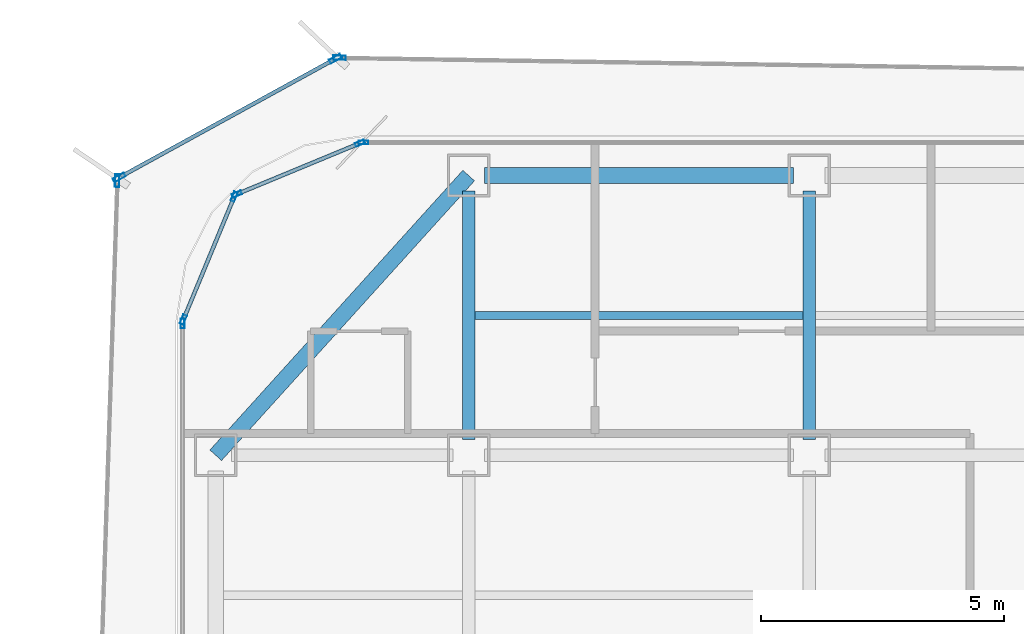
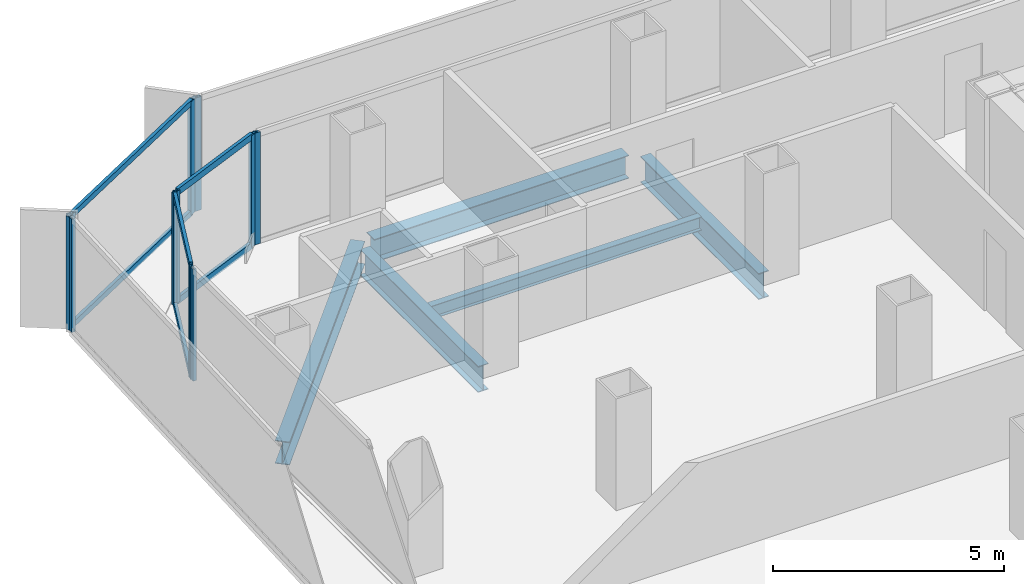
# One storey, part 10 of 21: 16 members, 5 beams, 7 elements without a shape of their own.
"""IFC4 building model written with IfcOpenShell, lengths in metres."""

from ifc_helpers import new_model, si_unit, direction, frame, origin, origin_2d, place, context, subcontext, project, spatial, hollow_rectangle, i_section, extrude, source, transform, mapped, material, layer, layer_set, material_profile, profile_set, type_object, element, aggregate, save


model = new_model("IFC4")

# Units and contexts
model_context = context("Model", 3, precision=1e-05, world=origin(), true_north=direction((0.0, 1.0)))
body_context = subcontext(model_context, "Body", "Model", "MODEL_VIEW")
ifc_project = project(units=[si_unit("LENGTHUNIT", "METRE"), si_unit("AREAUNIT", "SQUARE_METRE"), si_unit("VOLUMEUNIT", "CUBIC_METRE"), si_unit("PLANEANGLEUNIT", "RADIAN"), si_unit("MASSUNIT", "GRAM", prefix="KILO")], contexts=[model_context])

# Site, building, storey
site_placement = place(None, origin())
site = spatial("IfcSite", under=ifc_project, at=site_placement, CompositionType="ELEMENT")
building_placement = place(site_placement, origin())
building = spatial("IfcBuilding", under=site, at=building_placement, Name="Kolveth Station Tower", CompositionType="ELEMENT")
storey_placement = place(building_placement, frame((0.0, 0.0, 111.89990234375)))
storey = spatial("IfcBuildingStorey", under=building, at=storey_placement, Name="L30", CompositionType="ELEMENT", Elevation=111.89990234375)

# Beams
ifc_material_1 = material(Name="Steel S355", Category="steel")
ifc_material_profile_1 = material_profile(ifc_material_1, i_section(OverallWidth=0.323974609375, OverallDepth=0.611083984375, WebThickness=0.0126953125, FlangeThickness=0.01904296875, at=origin_2d()), Name="W610x155")
ifc_profile_set_1 = profile_set([ifc_material_profile_1], Name="Steel S355")
beam_type_1 = type_object("IfcBeamType", Name="Beam_SP2", PredefinedType="SPANDREL", material=ifc_profile_set_1)
shared_shape_1 = source(origin(), body_context, "Body", "SweptSolid", [
    extrude(i_section(OverallWidth=0.323974609375, OverallDepth=0.611083984375, WebThickness=0.0126953125, FlangeThickness=0.01904296875, at=origin_2d()), origin(), (0.0, 0.0, 1.0), 6.35986328125),
])
beam_1_placement = place(storey_placement, frame((6.320068359375, 34.5, -0.555419921875), z_axis=(1.0, 0.0, 0.0), x_axis=(0.0, 1.0, 0.0)))
element("IfcBeam", 1, at=beam_1_placement, inside=storey, type_object=beam_type_1, Name="L30 Perimeter Spandrel BM-L30-PN-1", PredefinedType="SPANDREL", context=body_context, shape_type="MappedRepresentation", body=[
    mapped(shared_shape_1, transform((0.0, 0.0, 0.0), x_axis=(1.0, 0.0, 0.0), y_axis=(0.0, 1.0, 0.0), z_axis=(0.0, 0.0, 1.0), scale=1.0)),
])
shared_shape_2 = source(origin(), body_context, "Body", "SweptSolid", [
    extrude(i_section(OverallWidth=0.323974609375, OverallDepth=0.611083984375, WebThickness=0.0126953125, FlangeThickness=0.01904296875, at=origin_2d()), origin(), (0.0, 0.0, 1.0), 7.75244140625),
])
beam_2_placement = place(storey_placement, frame((6.0, 34.5, -0.555419921875), z_axis=(-0.670740965555, -0.74169168603, 0.0), x_axis=(0.74169168603, -0.670740965555, 0.0)))
element("IfcBeam", 2, at=beam_2_placement, inside=storey, type_object=beam_type_1, Name="L30 Corner Edge Girder BM-L30-CNR-NW", PredefinedType="SPANDREL", context=body_context, shape_type="MappedRepresentation", body=[
    mapped(shared_shape_2, transform((0.0, 0.0, 0.0), x_axis=(1.0, 0.0, 0.0), y_axis=(0.0, 1.0, 0.0), z_axis=(0.0, 0.0, 1.0), scale=1.0)),
])
ifc_material_profile_2 = material_profile(ifc_material_1, i_section(OverallWidth=0.25390625, OverallDepth=0.68798828125, WebThickness=0.01318359375, FlangeThickness=0.02099609375, at=origin_2d()), Name="W690x152")
ifc_profile_set_2 = profile_set([ifc_material_profile_2], Name="Steel S355")
beam_type_2 = type_object("IfcBeamType", Name="Beam_B4", PredefinedType="BEAM", material=ifc_profile_set_2)
shared_shape_3 = source(origin(), body_context, "Body", "SweptSolid", [
    extrude(i_section(OverallWidth=0.25390625, OverallDepth=0.68798828125, WebThickness=0.01318359375, FlangeThickness=0.02099609375, at=origin_2d()), origin(), (0.0, 0.0, 1.0), 5.10986328125),
])
for number, where, z_axis, x_axis, name in (
    (3, (6.0, 29.070068359375, -0.593994140625), (0.0, 1.0, 0.0), (-1.0, 0.0, 0.0), "L30 Primary Girder BM-L30-GX60-6"),
    (4, (13.0, 29.070068359375, -0.593994140625), (0.0, 1.0, 0.0), (-1.0, 0.0, 0.0), "L30 Primary Girder BM-L30-GX130-6"),
):
    element("IfcBeam", number, at=place(storey_placement, frame(where, z_axis=z_axis, x_axis=x_axis)), inside=storey, type_object=beam_type_2, Name=name, PredefinedType="BEAM", context=body_context, shape_type="MappedRepresentation", body=[
        mapped(shared_shape_3, transform((0.0, 0.0, 0.0), x_axis=(1.0, 0.0, 0.0), y_axis=(0.0, 1.0, 0.0), z_axis=(0.0, 0.0, 1.0), scale=1.0)),
    ])
ifc_material_profile_3 = material_profile(ifc_material_1, i_section(OverallWidth=0.1708984375, OverallDepth=0.35205078125, WebThickness=0.0068359375, FlangeThickness=0.009765625, at=origin_2d()), Name="W360x44")
ifc_profile_set_3 = profile_set([ifc_material_profile_3], Name="Steel S355")
beam_type_3 = type_object("IfcBeamType", Name="Beam_J2", PredefinedType="JOIST", material=ifc_profile_set_3)
shared_shape_4 = source(origin(), body_context, "Body", "SweptSolid", [
    extrude(i_section(OverallWidth=0.1708984375, OverallDepth=0.35205078125, WebThickness=0.0068359375, FlangeThickness=0.009765625, at=origin_2d()), origin(), (0.0, 0.0, 1.0), 6.75),
])
beam_3_placement = place(storey_placement, frame((6.125, 31.625, -0.42578125), z_axis=(1.0, 0.0, 0.0), x_axis=(0.0, 1.0, 0.0)))
element("IfcBeam", 5, at=beam_3_placement, inside=storey, type_object=beam_type_3, Name="L30 Secondary Joist JST-L30-2-6", PredefinedType="JOIST", context=body_context, shape_type="MappedRepresentation", body=[
    mapped(shared_shape_4, transform((0.0, 0.0, 0.0), x_axis=(1.0, 0.0, 0.0), y_axis=(0.0, 1.0, 0.0), z_axis=(0.0, 0.0, 1.0), scale=1.0)),
])

# Curtain wall, members
ifc_material_2 = material(Name="Aluminium 6063-T6 and low-E dark glass", Category="aluminium")
ifc_layer_1 = layer(ifc_material_2, 0.18994140625)
ifc_layer_set_1 = layer_set([ifc_layer_1], Name="Aluminium 6063-T6 and low-E dark glass")
curtain_wall_type_1 = type_object("IfcCurtainWallType", Name="CurtainWall_CW-Z2", PredefinedType="NOTDEFINED", material=ifc_layer_set_1)
curtain_wall_1_placement = place(storey_placement, origin())
curtain_wall_1 = element("IfcCurtainWall", 6, at=curtain_wall_1_placement, inside=storey, type_object=curtain_wall_type_1, Name="L30 Inner Thermal Curtain Wall 7", PredefinedType="NOTDEFINED")
ifc_material_3 = material(Name="Black anodized aluminium 6063-T6", Category="aluminium")
ifc_material_profile_4 = material_profile(ifc_material_3, hollow_rectangle(XDim=0.080078125, YDim=0.169921875, WallThickness=0.0048828125, at=origin_2d()), Name="ALU-80x170x5")
ifc_profile_set_4 = profile_set([ifc_material_profile_4], Name="Black anodized aluminium 6063-T6")
member_type_1 = type_object("IfcMemberType", Name="Transom_TR2", PredefinedType="USERDEFINED", material=ifc_profile_set_4)
shared_shape_5 = source(origin(), body_context, "Body", "SweptSolid", [
    extrude(hollow_rectangle(XDim=0.080078125, YDim=0.169921875, WallThickness=0.0048828125, at=origin_2d()), origin(), (0.0, 0.0, 1.0), 2.656494140625),
])
member_1_placement = place(storey_placement, frame((3.72607421875, 35.1494140625, 0.0400390625), z_axis=(-0.923882422403, -0.382676455475, 0.0), x_axis=(0.382676455475, -0.923882422403, 0.0)))
member_1 = element("IfcMember", 7, at=member_1_placement, type_object=member_type_1, Name="CW-Z2 transom 1.1", ObjectType="TRANSOM", PredefinedType="USERDEFINED", context=body_context, shape_type="MappedRepresentation", body=[
    mapped(shared_shape_5, transform((0.0, 0.0, 0.0), x_axis=(1.0, 0.0, 0.0), y_axis=(0.0, 1.0, 0.0), z_axis=(0.0, 0.0, 1.0), scale=1.0)),
])
member_2_placement = place(storey_placement, frame((3.72607421875, 35.1494140625, 2.91015625), z_axis=(-0.923882422403, -0.382676455475, 0.0), x_axis=(0.382676455475, -0.923882422403, 0.0)))
member_2 = element("IfcMember", 8, at=member_2_placement, type_object=member_type_1, Name="CW-Z2 transom 1.2", ObjectType="TRANSOM", PredefinedType="USERDEFINED", context=body_context, shape_type="MappedRepresentation", body=[
    mapped(shared_shape_5, transform((0.0, 0.0, 0.0), x_axis=(1.0, 0.0, 0.0), y_axis=(0.0, 1.0, 0.0), z_axis=(0.0, 0.0, 1.0), scale=1.0)),
])

curtain_wall_2_placement = place(storey_placement, origin())
curtain_wall_2 = element("IfcCurtainWall", 9, at=curtain_wall_2_placement, inside=storey, type_object=curtain_wall_type_1, Name="L30 Inner Thermal Curtain Wall 8", PredefinedType="NOTDEFINED")
member_3_placement = place(storey_placement, frame((1.167236328125, 34.0283203125, 0.0400390625), z_axis=(-0.382676455475, -0.923882422403, 0.0), x_axis=(0.923882422403, -0.382676455475, 0.0)))
member_3 = element("IfcMember", 10, at=member_3_placement, type_object=member_type_1, Name="CW-Z2 transom 1.1", ObjectType="TRANSOM", PredefinedType="USERDEFINED", context=body_context, shape_type="MappedRepresentation", body=[
    mapped(shared_shape_5, transform((0.0, 0.0, 0.0), x_axis=(1.0, 0.0, 0.0), y_axis=(0.0, 1.0, 0.0), z_axis=(0.0, 0.0, 1.0), scale=1.0)),
])
member_4_placement = place(storey_placement, frame((1.167236328125, 34.0283203125, 2.91015625), z_axis=(-0.382676455475, -0.923882422403, 0.0), x_axis=(0.923882422403, -0.382676455475, 0.0)))
member_4 = element("IfcMember", 11, at=member_4_placement, type_object=member_type_1, Name="CW-Z2 transom 1.2", ObjectType="TRANSOM", PredefinedType="USERDEFINED", context=body_context, shape_type="MappedRepresentation", body=[
    mapped(shared_shape_5, transform((0.0, 0.0, 0.0), x_axis=(1.0, 0.0, 0.0), y_axis=(0.0, 1.0, 0.0), z_axis=(0.0, 0.0, 1.0), scale=1.0)),
])

# Curtain wall, member
ifc_material_4 = material(Name="Black anodized aluminium 6063-T6 and dark solar glass", Category="aluminium")
ifc_layer_2 = layer(ifc_material_4, 0.159912109375)
ifc_layer_set_2 = layer_set([ifc_layer_2], Name="Black anodized aluminium 6063-T6 and dark solar glass")
curtain_wall_type_2 = type_object("IfcCurtainWallType", Name="OUTER SKIN CW-OS", PredefinedType="NOTDEFINED", material=ifc_layer_set_2)
curtain_wall_3_placement = place(storey_placement, origin())
curtain_wall_3 = element("IfcCurtainWall", 12, at=curtain_wall_3_placement, inside=storey, type_object=curtain_wall_type_2, Name="L30 Outer Ventilated Skin Curtain Wall 4", PredefinedType="NOTDEFINED")
ifc_material_profile_5 = material_profile(ifc_material_3, hollow_rectangle(XDim=0.090087890625, YDim=0.260009765625, WallThickness=0.0048828125, at=origin_2d()), Name="ALU-90x260x5")
ifc_profile_set_5 = profile_set([ifc_material_profile_5], Name="Black anodized aluminium 6063-T6")
member_type_2 = type_object("IfcMemberType", Name="FIN MULLION ML-OS", PredefinedType="MULLION", material=ifc_profile_set_5)
shared_shape_6 = source(origin(), body_context, "Body", "SweptSolid", [
    extrude(hollow_rectangle(XDim=0.090087890625, YDim=0.260009765625, WallThickness=0.0048828125, at=origin_2d()), origin(), (0.0, 0.0, 1.0), 2.989990234375),
])
member_5_placement = place(storey_placement, frame((3.3466796875, 36.921630859375, 0.0), z_axis=(0.0, 0.0, 1.0), x_axis=(-0.015457232416, -0.999880529846, 0.0)))
member_5 = element("IfcMember", 13, at=member_5_placement, type_object=member_type_2, Name="CW-OS mullion 2", PredefinedType="MULLION", context=body_context, shape_type="MappedRepresentation", body=[
    mapped(shared_shape_6, transform((0.0, 0.0, 0.0), x_axis=(1.0, 0.0, 0.0), y_axis=(0.0, 1.0, 0.0), z_axis=(0.0, 0.0, 1.0), scale=1.0)),
])
aggregate(curtain_wall_3, [member_5])

# Curtain wall, members
curtain_wall_4_placement = place(storey_placement, origin())
curtain_wall_4 = element("IfcCurtainWall", 14, at=curtain_wall_4_placement, inside=storey, type_object=curtain_wall_type_2, Name="L30 Outer Ventilated Skin Curtain Wall 5", PredefinedType="NOTDEFINED")
member_6_placement = place(storey_placement, frame((3.26220703125, 36.900634765625, 0.0), z_axis=(0.0, 0.0, 1.0), x_axis=(0.481264941479, -0.876575185653, 0.0)))
member_6 = element("IfcMember", 15, at=member_6_placement, type_object=member_type_2, Name="CW-OS mullion 1", PredefinedType="MULLION", context=body_context, shape_type="MappedRepresentation", body=[
    mapped(shared_shape_6, transform((0.0, 0.0, 0.0), x_axis=(1.0, 0.0, 0.0), y_axis=(0.0, 1.0, 0.0), z_axis=(0.0, 0.0, 1.0), scale=1.0)),
])
member_7_placement = place(storey_placement, frame((-1.183837890625, 34.459716796875, 0.0), z_axis=(0.0, 0.0, 1.0), x_axis=(0.481264941479, -0.876575185653, 0.0)))
member_7 = element("IfcMember", 16, at=member_7_placement, type_object=member_type_2, Name="CW-OS mullion 2", PredefinedType="MULLION", context=body_context, shape_type="MappedRepresentation", body=[
    mapped(shared_shape_6, transform((0.0, 0.0, 0.0), x_axis=(1.0, 0.0, 0.0), y_axis=(0.0, 1.0, 0.0), z_axis=(0.0, 0.0, 1.0), scale=1.0)),
])

# Curtain wall, member
curtain_wall_5_placement = place(storey_placement, origin())
curtain_wall_5 = element("IfcCurtainWall", 17, at=curtain_wall_5_placement, inside=storey, type_object=curtain_wall_type_2, Name="L30 Outer Ventilated Skin Curtain Wall 6", PredefinedType="NOTDEFINED")
member_8_placement = place(storey_placement, frame((-1.224609375, 34.39306640625, 0.0), z_axis=(0.0, 0.0, 1.0), x_axis=(0.999444314785, -0.033332591305, 0.0)))
member_8 = element("IfcMember", 18, at=member_8_placement, type_object=member_type_2, Name="CW-OS mullion 1", PredefinedType="MULLION", context=body_context, shape_type="MappedRepresentation", body=[
    mapped(shared_shape_6, transform((0.0, 0.0, 0.0), x_axis=(1.0, 0.0, 0.0), y_axis=(0.0, 1.0, 0.0), z_axis=(0.0, 0.0, 1.0), scale=1.0)),
])
aggregate(curtain_wall_5, [member_8])

curtain_wall_6_placement = place(storey_placement, origin())
curtain_wall_6 = element("IfcCurtainWall", 19, at=curtain_wall_6_placement, inside=storey, type_object=curtain_wall_type_1, Name="L30 Inner Thermal Curtain Wall 6", PredefinedType="NOTDEFINED")
ifc_material_profile_6 = material_profile(ifc_material_3, hollow_rectangle(XDim=0.080078125, YDim=0.199951171875, WallThickness=0.0048828125, at=origin_2d()), Name="ALU-80x200x5")
ifc_profile_set_6 = profile_set([ifc_material_profile_6], Name="Black anodized aluminium 6063-T6")
member_type_3 = type_object("IfcMemberType", Name="Mullion_ML2", PredefinedType="MULLION", material=ifc_profile_set_6)
shared_shape_7 = source(origin(), body_context, "Body", "SweptSolid", [
    extrude(hollow_rectangle(XDim=0.080078125, YDim=0.199951171875, WallThickness=0.0048828125, at=origin_2d()), origin(), (0.0, 0.0, 1.0), 2.9501953125),
])
member_9_placement = place(storey_placement, frame((3.840087890625, 35.179931640625, 0.0), z_axis=(0.0, 0.0, 1.0), x_axis=(0.0, -1.0, 0.0)))
member_9 = element("IfcMember", 20, at=member_9_placement, type_object=member_type_3, Name="CW-Z2 mullion 3", PredefinedType="MULLION", context=body_context, shape_type="MappedRepresentation", body=[
    mapped(shared_shape_7, transform((0.0, 0.0, 0.0), x_axis=(1.0, 0.0, 0.0), y_axis=(0.0, 1.0, 0.0), z_axis=(0.0, 0.0, 1.0), scale=1.0)),
])
aggregate(curtain_wall_6, [member_9])

# Member
member_10_placement = place(storey_placement, frame((3.762939453125, 35.164794921875, 0.0), z_axis=(0.0, 0.0, 1.0), x_axis=(0.38266326998, -0.923887883787, 0.0)))
member_10 = element("IfcMember", 21, at=member_10_placement, type_object=member_type_3, Name="CW-Z2 mullion 1", PredefinedType="MULLION", context=body_context, shape_type="MappedRepresentation", body=[
    mapped(shared_shape_7, transform((0.0, 0.0, 0.0), x_axis=(1.0, 0.0, 0.0), y_axis=(0.0, 1.0, 0.0), z_axis=(0.0, 0.0, 1.0), scale=1.0)),
])

member_11_placement = place(storey_placement, frame((1.23486328125, 34.117431640625, 0.0), z_axis=(0.0, 0.0, 1.0), x_axis=(0.38266326998, -0.923887883787, 0.0)))
member_11 = element("IfcMember", 22, at=member_11_placement, type_object=member_type_3, Name="CW-Z2 mullion 2", PredefinedType="MULLION", context=body_context, shape_type="MappedRepresentation", body=[
    mapped(shared_shape_7, transform((0.0, 0.0, 0.0), x_axis=(1.0, 0.0, 0.0), y_axis=(0.0, 1.0, 0.0), z_axis=(0.0, 0.0, 1.0), scale=1.0)),
])

aggregate(curtain_wall_1, [member_10, member_11, member_1, member_2])

member_12_placement = place(storey_placement, frame((1.182373046875, 34.065185546875, 0.0), z_axis=(0.0, 0.0, 1.0), x_axis=(0.923887883787, -0.38266326998, 0.0)))
member_12 = element("IfcMember", 23, at=member_12_placement, type_object=member_type_3, Name="CW-Z2 mullion 1", PredefinedType="MULLION", context=body_context, shape_type="MappedRepresentation", body=[
    mapped(shared_shape_7, transform((0.0, 0.0, 0.0), x_axis=(1.0, 0.0, 0.0), y_axis=(0.0, 1.0, 0.0), z_axis=(0.0, 0.0, 1.0), scale=1.0)),
])

member_13_placement = place(storey_placement, frame((0.13525390625, 31.536865234375, 0.0), z_axis=(0.0, 0.0, 1.0), x_axis=(0.923887883787, -0.38266326998, 0.0)))
member_13 = element("IfcMember", 24, at=member_13_placement, type_object=member_type_3, Name="CW-Z2 mullion 2", PredefinedType="MULLION", context=body_context, shape_type="MappedRepresentation", body=[
    mapped(shared_shape_7, transform((0.0, 0.0, 0.0), x_axis=(1.0, 0.0, 0.0), y_axis=(0.0, 1.0, 0.0), z_axis=(0.0, 0.0, 1.0), scale=1.0)),
])

aggregate(curtain_wall_2, [member_12, member_13, member_3, member_4])

# Curtain wall, member
curtain_wall_7_placement = place(storey_placement, origin())
curtain_wall_7 = element("IfcCurtainWall", 25, at=curtain_wall_7_placement, inside=storey, type_object=curtain_wall_type_1, Name="L30 Inner Thermal Curtain Wall 9", PredefinedType="NOTDEFINED")
member_14_placement = place(storey_placement, frame((0.1201171875, 31.4599609375, 0.0), z_axis=(0.0, 0.0, 1.0), x_axis=(1.0, 0.0, 0.0)))
member_14 = element("IfcMember", 26, at=member_14_placement, type_object=member_type_3, Name="CW-Z2 mullion 1", PredefinedType="MULLION", context=body_context, shape_type="MappedRepresentation", body=[
    mapped(shared_shape_7, transform((0.0, 0.0, 0.0), x_axis=(1.0, 0.0, 0.0), y_axis=(0.0, 1.0, 0.0), z_axis=(0.0, 0.0, 1.0), scale=1.0)),
])
aggregate(curtain_wall_7, [member_14])

# Member
ifc_material_profile_7 = material_profile(ifc_material_3, hollow_rectangle(XDim=0.080078125, YDim=0.14990234375, WallThickness=0.0048828125, at=origin_2d()), Name="ALU-80x150x5")
ifc_profile_set_7 = profile_set([ifc_material_profile_7], Name="Black anodized aluminium 6063-T6")
member_type_4 = type_object("IfcMemberType", Name="Transom_TR-OS", PredefinedType="USERDEFINED", material=ifc_profile_set_7)
shared_shape_8 = source(origin(), body_context, "Body", "SweptSolid", [
    extrude(hollow_rectangle(XDim=0.080078125, YDim=0.14990234375, WallThickness=0.0048828125, at=origin_2d()), origin(), (0.0, 0.0, 1.0), 4.982177734375),
])
member_15_placement = place(storey_placement, frame((3.222900390625, 36.87890625, 0.0400390625), z_axis=(-0.876575713335, -0.481263980359, 0.0), x_axis=(0.481263980359, -0.876575713335, 0.0)))
member_15 = element("IfcMember", 27, at=member_15_placement, type_object=member_type_4, Name="CW-OS transom 1.1", ObjectType="TRANSOM", PredefinedType="USERDEFINED", context=body_context, shape_type="MappedRepresentation", body=[
    mapped(shared_shape_8, transform((0.0, 0.0, 0.0), x_axis=(1.0, 0.0, 0.0), y_axis=(0.0, 1.0, 0.0), z_axis=(0.0, 0.0, 1.0), scale=1.0)),
])

member_16_placement = place(storey_placement, frame((3.222900390625, 36.87890625, 2.9501953125), z_axis=(-0.876575713335, -0.481263980359, 0.0), x_axis=(0.481263980359, -0.876575713335, 0.0)))
member_16 = element("IfcMember", 28, at=member_16_placement, type_object=member_type_4, Name="CW-OS transom 1.2", ObjectType="TRANSOM", PredefinedType="USERDEFINED", context=body_context, shape_type="MappedRepresentation", body=[
    mapped(shared_shape_8, transform((0.0, 0.0, 0.0), x_axis=(1.0, 0.0, 0.0), y_axis=(0.0, 1.0, 0.0), z_axis=(0.0, 0.0, 1.0), scale=1.0)),
])

aggregate(curtain_wall_4, [member_6, member_7, member_15, member_16])

save(model, "model.ifc")
